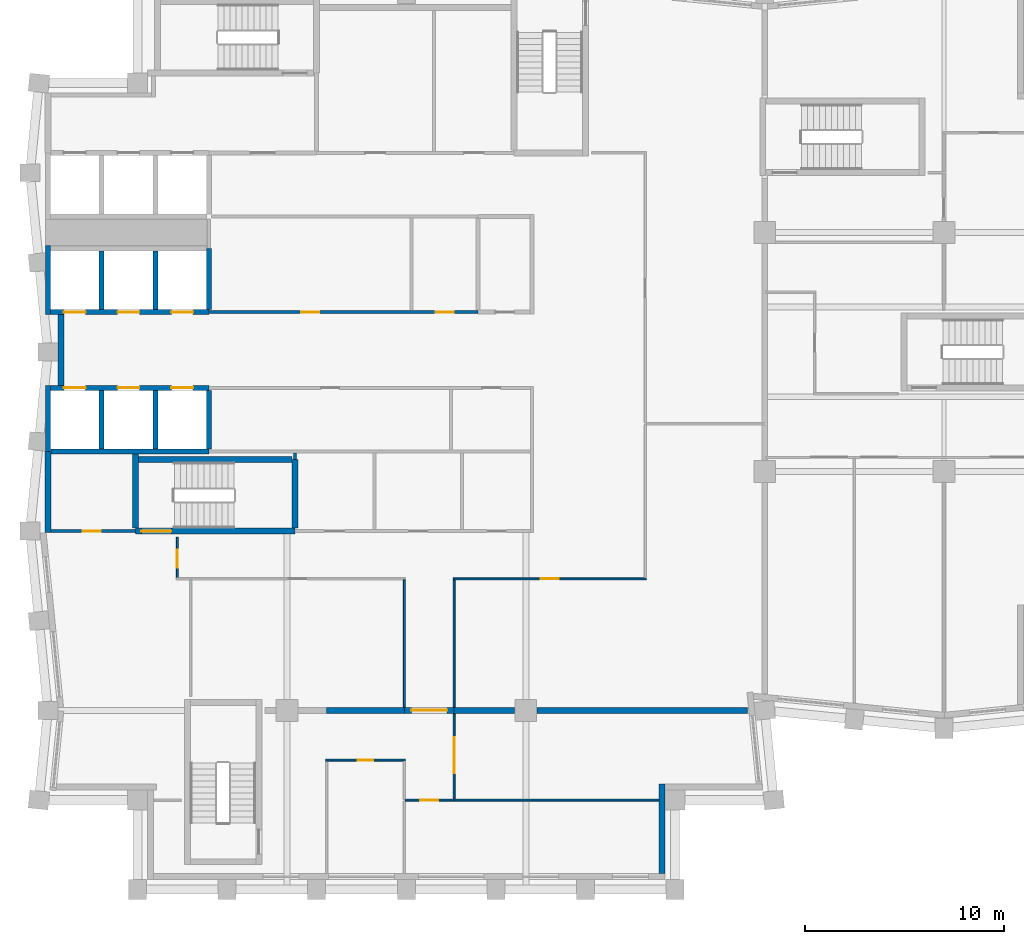
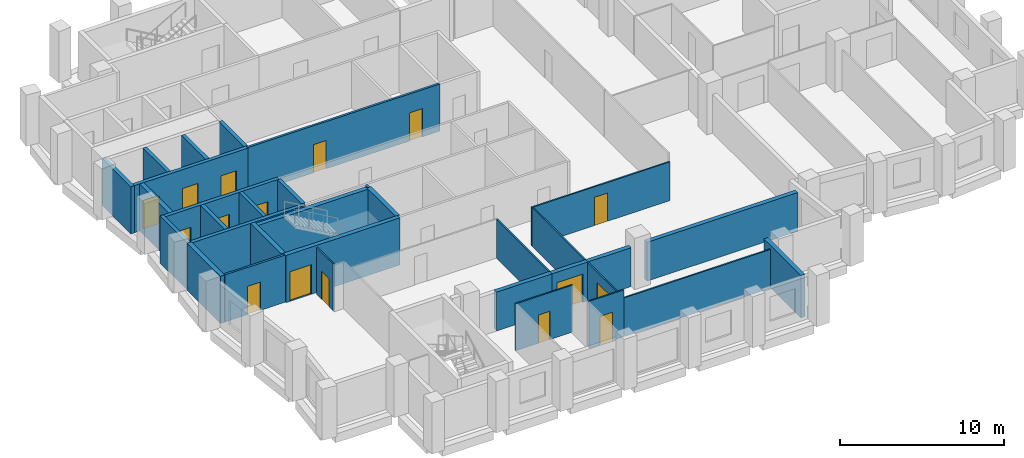
# One storey, part 3 of 8: 33 walls, 16 doors, 16 openings.
"""IFC4 building model written with IfcOpenShell, lengths in metres."""

from ifc_helpers import new_model, si_unit, direction, frame, frame_2d, origin, place, context, subcontext, project, spatial, rectangle, extrude, material, layer, layer_set, type_object, element, fill, save


model = new_model("IFC4")

# Units and contexts
model_context = context("Model", 3, precision=1e-05, world=origin(), true_north=direction((0.0, 1.0)))
body_context = subcontext(model_context, "Body", "Model", "MODEL_VIEW")
ifc_project = project(units=[si_unit("LENGTHUNIT", "METRE"), si_unit("AREAUNIT", "SQUARE_METRE"), si_unit("VOLUMEUNIT", "CUBIC_METRE"), si_unit("PLANEANGLEUNIT", "RADIAN"), si_unit("MASSUNIT", "GRAM", prefix="KILO")], contexts=[model_context])

# Site, building, storey
site_placement = place(None, origin())
site = spatial("IfcSite", under=ifc_project, at=site_placement, CompositionType="ELEMENT")
building_placement = place(site_placement, origin())
building = spatial("IfcBuilding", under=site, at=building_placement, Name="Brondeck Convention Tower", CompositionType="ELEMENT")
storey_placement = place(building_placement, frame((0.0, 0.0, 217.800048828125)))
storey = spatial("IfcBuildingStorey", under=building, at=storey_placement, Name="L53", CompositionType="ELEMENT", Elevation=217.800048828125)

# Wall
ifc_material_1 = material(Name="Concrete compartment wall C30/37", Category="concrete")
ifc_layer_1 = layer(ifc_material_1, 0.300048828125)
ifc_layer_set_1 = layer_set([ifc_layer_1], Name="Compartment wall 300")
wall_type_1 = type_object("IfcWallType", Name="Compartment wall 300", PredefinedType="PARTITIONING", material=ifc_layer_set_1)
wall_1_placement = place(storey_placement, frame((14.0, 27.0, 0.0), z_axis=(0.0, 0.0, 1.0), x_axis=(1.0, 0.0, 0.0)))
element("IfcWall", 1, at=wall_1_placement, inside=storey, type_object=wall_type_1, Name="FLR-L53-W015", PredefinedType="PARTITIONING", context=body_context, shape_type="SweptSolid", body=[
    extrude(rectangle(XDim=3.89990234375, YDim=0.300048828125, at=frame_2d((1.949951171875, 0.0))), origin(), (0.0, 0.0, 1.0), 2.8798828125),
])

# Wall, opening, door
wall_2_placement = place(storey_placement, frame((20.39990234375, 27.0, 0.0), z_axis=(0.0, 0.0, 1.0), x_axis=(-1.0, 0.0, 0.0)))
wall_2 = element("IfcWall", 2, at=wall_2_placement, inside=storey, type_object=wall_type_1, Name="FLR-L53-W016", PredefinedType="PARTITIONING", context=body_context, shape_type="SweptSolid", body=[
    extrude(rectangle(XDim=2.5, YDim=0.300048828125, at=frame_2d((1.25, 0.0))), origin(), (0.0, 0.0, 1.0), 2.8798828125),
])
opening_1_placement = place(wall_2_placement, frame((0.35009765625, 0.0, 0.0)))
opening_1 = element("IfcOpeningElement", 3, at=opening_1_placement, cuts=wall_2, Name="Opening OF-L-015", PredefinedType="OPENING", context=body_context, shape_type="SweptSolid", body=[
    extrude(rectangle(XDim=1.800048828125, YDim=2.10009765625, at=frame_2d((0.89990234375, 1.050048828125))), frame((0.0, 0.159912109375, 0.0), z_axis=(0.0, -1.0, 0.0), x_axis=(1.0, 0.0, 0.0)), (0.0, 0.0, 1.0), 0.320068359375),
])
ifc_material_2 = material(Name="Steel fire door pair", Category="steel")
door_type_1 = type_object("IfcDoorType", Name="Fire door pair 1800", OperationType="DOUBLE_DOOR_SINGLE_SWING", PredefinedType="DOOR", material=ifc_material_2)
door_1_placement = place(opening_1_placement, origin())
door_1 = element("IfcDoor", 4, at=door_1_placement, inside=storey, type_object=door_type_1, Name="Door OF-L-015", OperationType="DOUBLE_DOOR_SINGLE_SWING", OverallHeight=2.10009765625, OverallWidth=1.800048828125, PredefinedType="DOOR", context=body_context, shape_type="SweptSolid", body=[
    extrude(rectangle(XDim=1.800048828125, YDim=2.10009765625, at=frame_2d((0.89990234375, 1.050048828125))), frame((0.0, 0.02490234375, 0.0), z_axis=(0.0, -1.0, 0.0), x_axis=(1.0, 0.0, 0.0)), (0.0, 0.0, 1.0), 0.050048828125),
])
fill(opening_1, door_1)

# Walls
wall_3_placement = place(storey_placement, frame((20.39990234375, 27.0, 0.0), z_axis=(0.0, 0.0, 1.0), x_axis=(1.0, 0.0, 0.0)))
element("IfcWall", 5, at=wall_3_placement, inside=storey, type_object=wall_type_1, Name="FLR-L53-W017", PredefinedType="PARTITIONING", context=body_context, shape_type="SweptSolid", body=[
    extrude(rectangle(XDim=3.045166015625, YDim=0.300048828125, at=frame_2d((1.5224609375, 0.0))), origin(), (0.0, 0.0, 1.0), 2.8798828125),
])
wall_4_placement = place(storey_placement, frame((24.554931640625, 27.0, 0.0), z_axis=(0.0, 0.0, 1.0), x_axis=(1.0, 0.0, 0.0)))
element("IfcWall", 6, at=wall_4_placement, inside=storey, type_object=wall_type_1, Name="FLR-L53-W018", PredefinedType="PARTITIONING", context=body_context, shape_type="SweptSolid", body=[
    extrude(rectangle(XDim=10.591064453125, YDim=0.300048828125, at=frame_2d((5.29541015625, 0.0))), origin(), (0.0, 0.0, 1.0), 2.8798828125),
])
ifc_material_3 = material(Name="Concrete C50/60", Category="concrete")
ifc_layer_2 = layer(ifc_material_3, 0.300048828125)
ifc_layer_set_2 = layer_set([ifc_layer_2], Name="Core outer wall 300 Concrete C50/60")
wall_type_2 = type_object("IfcWallType", Name="Core outer wall 300 Concrete C50/60", PredefinedType="SHEAR", material=ifc_layer_set_2)
wall_5_placement = place(storey_placement, frame((0.0, 35.925048828125, 0.0), z_axis=(0.0, 0.0, 1.0), x_axis=(0.0, 1.0, 0.0)))
element("IfcWall", 7, at=wall_5_placement, inside=storey, type_object=wall_type_2, Name="L53 core wall", PredefinedType="SHEAR", context=body_context, shape_type="SweptSolid", body=[
    extrude(rectangle(XDim=4.074951171875, YDim=0.300048828125, at=frame_2d((2.03759765625, 0.0))), origin(), (0.0, 0.0, 1.0), 3.5),
])
wall_6_placement = place(storey_placement, frame((0.64990234375, 43.324951171875, 0.0), z_axis=(0.0, 0.0, 1.0), x_axis=(0.0, 1.0, 0.0)))
element("IfcWall", 8, at=wall_6_placement, inside=storey, type_object=wall_type_2, Name="L53 core wall", PredefinedType="SHEAR", context=body_context, shape_type="SweptSolid", body=[
    extrude(rectangle(XDim=3.550048828125, YDim=0.300048828125, at=frame_2d((1.77490234375, 0.0))), origin(), (0.0, 0.0, 1.0), 3.5),
])

# Wall, opening, door
ifc_material_4 = material(Name="Fire-rated gypsum board partition")
ifc_layer_3 = layer(ifc_material_4, 0.14990234375)
ifc_layer_set_3 = layer_set([ifc_layer_3], Name="Core partition 150 EI 60")
wall_type_3 = type_object("IfcWallType", Name="Core partition 150 EI 60", PredefinedType="PARTITIONING", material=ifc_layer_set_3)
wall_7_placement = place(storey_placement, frame((0.14990234375, 36.0, 0.0), z_axis=(0.0, 0.0, 1.0), x_axis=(1.0, 0.0, 0.0)))
wall_7 = element("IfcWall", 9, at=wall_7_placement, inside=storey, type_object=wall_type_3, Name="L53 core wall", PredefinedType="PARTITIONING", context=body_context, shape_type="SweptSolid", body=[
    extrude(rectangle(XDim=4.25, YDim=0.14990234375, at=frame_2d((2.125, 0.0))), origin(), (0.0, 0.0, 1.0), 3.5),
])
opening_2_placement = place(wall_7_placement, frame((1.60009765625, 0.0, 0.0)))
opening_2 = element("IfcOpeningElement", 10, at=opening_2_placement, cuts=wall_7, Name="Opening C29-06", PredefinedType="OPENING", context=body_context, shape_type="SweptSolid", body=[
    extrude(rectangle(XDim=0.89990234375, YDim=2.10009765625, at=frame_2d((0.449951171875, 1.050048828125))), frame((0.0, 0.0849609375, 0.0), z_axis=(0.0, -1.0, 0.0), x_axis=(1.0, 0.0, 0.0)), (0.0, 0.0, 1.0), 0.169921875),
])
ifc_material_5 = material(Name="Steel fire door", Category="steel")
door_type_2 = type_object("IfcDoorType", Name="Room door 900x2100 EI 60", OperationType="NOTDEFINED", PredefinedType="DOOR", material=ifc_material_5)
door_2_placement = place(opening_2_placement, origin())
door_2 = element("IfcDoor", 11, at=door_2_placement, inside=storey, type_object=door_type_2, Name="L53 Room door FRW-1", OperationType="SINGLE_SWING_LEFT", OverallHeight=2.10009765625, OverallWidth=0.89990234375, PredefinedType="DOOR", context=body_context, shape_type="SweptSolid", body=[
    extrude(rectangle(XDim=0.89990234375, YDim=2.10009765625, at=frame_2d((0.449951171875, 1.050048828125))), frame((0.0, 0.02490234375, 0.0), z_axis=(0.0, -1.0, 0.0), x_axis=(1.0, 0.0, 0.0)), (0.0, 0.0, 1.0), 0.050048828125),
])
fill(opening_2, door_2)

# Wall, openings, doors
wall_8_placement = place(storey_placement, frame((8.10009765625, 47.0, 0.0), z_axis=(0.0, 0.0, 1.0), x_axis=(1.0, 0.0, 0.0)))
wall_8 = element("IfcWall", 12, at=wall_8_placement, inside=storey, type_object=wall_type_3, Name="L53 core wall", PredefinedType="PARTITIONING", context=body_context, shape_type="SweptSolid", body=[
    extrude(rectangle(XDim=13.5, YDim=0.14990234375, at=frame_2d((6.75, 0.0))), origin(), (0.0, 0.0, 1.0), 3.5),
])
opening_3_placement = place(wall_8_placement, frame((4.625, 0.0, 0.0)))
opening_3 = element("IfcOpeningElement", 13, at=opening_3_placement, cuts=wall_8, Name="Opening C29-07", PredefinedType="OPENING", context=body_context, shape_type="SweptSolid", body=[
    extrude(rectangle(XDim=0.89990234375, YDim=2.10009765625, at=frame_2d((0.449951171875, 1.050048828125))), frame((0.0, 0.0849609375, 0.0), z_axis=(0.0, -1.0, 0.0), x_axis=(1.0, 0.0, 0.0)), (0.0, 0.0, 1.0), 0.169921875),
])
opening_4_placement = place(wall_8_placement, frame((11.375, 0.0, 0.0)))
opening_4 = element("IfcOpeningElement", 14, at=opening_4_placement, cuts=wall_8, Name="Opening C29-08", PredefinedType="OPENING", context=body_context, shape_type="SweptSolid", body=[
    extrude(rectangle(XDim=0.89990234375, YDim=2.10009765625, at=frame_2d((0.449951171875, 1.050048828125))), frame((0.0, 0.0849609375, 0.0), z_axis=(0.0, -1.0, 0.0), x_axis=(1.0, 0.0, 0.0)), (0.0, 0.0, 1.0), 0.169921875),
])
door_3_placement = place(opening_3_placement, origin())
door_3 = element("IfcDoor", 15, at=door_3_placement, inside=storey, type_object=door_type_2, Name="L53 Room door FZ-N-8.1-1", OperationType="SINGLE_SWING_LEFT", OverallHeight=2.10009765625, OverallWidth=0.89990234375, PredefinedType="DOOR", context=body_context, shape_type="SweptSolid", body=[
    extrude(rectangle(XDim=0.89990234375, YDim=2.10009765625, at=frame_2d((0.449951171875, 1.050048828125))), frame((0.0, 0.02490234375, 0.0), z_axis=(0.0, -1.0, 0.0), x_axis=(1.0, 0.0, 0.0)), (0.0, 0.0, 1.0), 0.050048828125),
])
fill(opening_3, door_3)
door_4_placement = place(opening_4_placement, origin())
door_4 = element("IfcDoor", 16, at=door_4_placement, inside=storey, type_object=door_type_2, Name="L53 Room door FZ-N-8.1-2", OperationType="SINGLE_SWING_RIGHT", OverallHeight=2.10009765625, OverallWidth=0.89990234375, PredefinedType="DOOR", context=body_context, shape_type="SweptSolid", body=[
    extrude(rectangle(XDim=0.89990234375, YDim=2.10009765625, at=frame_2d((0.449951171875, 1.050048828125))), frame((0.0, 0.02490234375, 0.0), z_axis=(0.0, -1.0, 0.0), x_axis=(1.0, 0.0, 0.0)), (0.0, 0.0, 1.0), 0.050048828125),
])
fill(opening_4, door_4)

# Walls
wall_9_placement = place(storey_placement, frame((12.39990234375, 39.60009765625, 0.0), z_axis=(0.0, 0.0, 1.0), x_axis=(0.0, 1.0, 0.0)))
element("IfcWall", 17, at=wall_9_placement, inside=storey, type_object=wall_type_3, Name="L53 core wall", PredefinedType="PARTITIONING", context=body_context, shape_type="SweptSolid", body=[
    extrude(rectangle(XDim=0.324951171875, YDim=0.14990234375, at=frame_2d((0.16259765625, 0.0))), origin(), (0.0, 0.0, 1.0), 3.5),
])
ifc_material_6 = material(Name="Precast concrete C50/60 bronze finish", Category="concrete")
ifc_layer_4 = layer(ifc_material_6, 0.070068359375, Name="Bronze precast facing")
ifc_material_7 = material(Name="Mineral wool")
ifc_layer_5 = layer(ifc_material_7, 0.159912109375, Name="Insulation")
ifc_material_8 = material(Name="Concrete C35/45", Category="concrete")
ifc_layer_6 = layer(ifc_material_8, 0.070068359375, Name="Backing")
ifc_layer_set_4 = layer_set([ifc_layer_4, ifc_layer_5, ifc_layer_6], Name="External infill wall, precast concrete C50/60 bronze facing")
wall_type_4 = type_object("IfcWallType", Name="External infill wall, precast concrete C50/60 bronze facing", PredefinedType="SOLIDWALL", material=ifc_layer_set_4)
wall_10_placement = place(storey_placement, frame((30.85009765625, 23.300048828125, 0.0), z_axis=(0.0, 0.0, 1.0), x_axis=(0.0, -1.0, 0.0)))
element("IfcWall", 18, at=wall_10_placement, inside=storey, type_object=wall_type_4, Name="ENV-EW-L53-P2-NC-SEB18-01", PredefinedType="SOLIDWALL", context=body_context, shape_type="SweptSolid", body=[
    extrude(rectangle(XDim=4.5, YDim=0.300048828125, at=frame_2d((2.25, 0.0))), origin(), (0.0, 0.0, 1.0), 3.14990234375),
])
ifc_layer_7 = layer(ifc_material_3, 0.25)
ifc_layer_set_5 = layer_set([ifc_layer_7], Name="Lift shaft wall 250 Concrete C50/60")
wall_type_5 = type_object("IfcWallType", Name="Lift shaft wall 250 Concrete C50/60", PredefinedType="SHEAR", material=ifc_layer_set_5)
wall_11_placement = place(storey_placement, frame((0.14990234375, 40.0, 0.0), z_axis=(0.0, 0.0, 1.0), x_axis=(1.0, 0.0, 0.0)))
element("IfcWall", 19, at=wall_11_placement, inside=storey, type_object=wall_type_5, Name="L53 core wall", PredefinedType="SHEAR", context=body_context, shape_type="SweptSolid", body=[
    extrude(rectangle(XDim=7.9501953125, YDim=0.25, at=frame_2d((3.97509765625, 0.0))), origin(), (0.0, 0.0, 1.0), 3.5),
])

# Wall, openings, doors
wall_12_placement = place(storey_placement, frame((0.125, 43.199951171875, 0.0), z_axis=(0.0, 0.0, 1.0), x_axis=(1.0, 0.0, 0.0)))
wall_12 = element("IfcWall", 20, at=wall_12_placement, inside=storey, type_object=wall_type_5, Name="L53 core wall", PredefinedType="SHEAR", context=body_context, shape_type="SweptSolid", body=[
    extrude(rectangle(XDim=7.97509765625, YDim=0.25, at=frame_2d((3.987548828125, 0.0))), origin(), (0.0, 0.0, 1.0), 3.5),
])
opening_5_placement = place(wall_12_placement, frame((0.675048828125, 0.0, 0.0)))
opening_5 = element("IfcOpeningElement", 21, at=opening_5_placement, cuts=wall_12, Name="Opening C29-22", PredefinedType="OPENING", context=body_context, shape_type="SweptSolid", body=[
    extrude(rectangle(XDim=1.10009765625, YDim=2.10009765625, at=frame_2d((0.550048828125, 1.050048828125))), frame((0.0, 0.135009765625, 0.0), z_axis=(0.0, -1.0, 0.0), x_axis=(1.0, 0.0, 0.0)), (0.0, 0.0, 1.0), 0.27001953125),
])
opening_6_placement = place(wall_12_placement, frame((3.375, 0.0, 0.0)))
opening_6 = element("IfcOpeningElement", 22, at=opening_6_placement, cuts=wall_12, Name="Opening C29-23", PredefinedType="OPENING", context=body_context, shape_type="SweptSolid", body=[
    extrude(rectangle(XDim=1.10009765625, YDim=2.10009765625, at=frame_2d((0.550048828125, 1.050048828125))), frame((0.0, 0.135009765625, 0.0), z_axis=(0.0, -1.0, 0.0), x_axis=(1.0, 0.0, 0.0)), (0.0, 0.0, 1.0), 0.27001953125),
])
opening_7_placement = place(wall_12_placement, frame((6.074951171875, 0.0, 0.0)))
opening_7 = element("IfcOpeningElement", 23, at=opening_7_placement, cuts=wall_12, Name="Opening C29-24", PredefinedType="OPENING", context=body_context, shape_type="SweptSolid", body=[
    extrude(rectangle(XDim=1.10009765625, YDim=2.10009765625, at=frame_2d((0.550048828125, 1.050048828125))), frame((0.0, 0.135009765625, 0.0), z_axis=(0.0, -1.0, 0.0), x_axis=(1.0, 0.0, 0.0)), (0.0, 0.0, 1.0), 0.27001953125),
])
ifc_material_9 = material(Name="Stainless steel lift door", Category="steel")
door_type_3 = type_object("IfcDoorType", Name="Lift landing door 1100x2100 EI 180", OperationType="DOUBLE_DOOR_SLIDING", PredefinedType="DOOR", material=ifc_material_9)
door_5_placement = place(opening_5_placement, origin())
door_5 = element("IfcDoor", 24, at=door_5_placement, inside=storey, type_object=door_type_3, Name="L53 Lift landing door HR1", OperationType="DOUBLE_DOOR_SLIDING", OverallHeight=2.10009765625, OverallWidth=1.10009765625, PredefinedType="DOOR", context=body_context, shape_type="SweptSolid", body=[
    extrude(rectangle(XDim=1.10009765625, YDim=2.10009765625, at=frame_2d((0.550048828125, 1.050048828125))), frame((0.0, 0.02490234375, 0.0), z_axis=(0.0, -1.0, 0.0), x_axis=(1.0, 0.0, 0.0)), (0.0, 0.0, 1.0), 0.050048828125),
])
fill(opening_5, door_5)
door_6_placement = place(opening_6_placement, origin())
door_6 = element("IfcDoor", 25, at=door_6_placement, inside=storey, type_object=door_type_3, Name="L53 Lift landing door HR2", OperationType="DOUBLE_DOOR_SLIDING", OverallHeight=2.10009765625, OverallWidth=1.10009765625, PredefinedType="DOOR", context=body_context, shape_type="SweptSolid", body=[
    extrude(rectangle(XDim=1.10009765625, YDim=2.10009765625, at=frame_2d((0.550048828125, 1.050048828125))), frame((0.0, 0.02490234375, 0.0), z_axis=(0.0, -1.0, 0.0), x_axis=(1.0, 0.0, 0.0)), (0.0, 0.0, 1.0), 0.050048828125),
])
fill(opening_6, door_6)
door_7_placement = place(opening_7_placement, origin())
door_7 = element("IfcDoor", 26, at=door_7_placement, inside=storey, type_object=door_type_3, Name="L53 Lift landing door HR3", OperationType="DOUBLE_DOOR_SLIDING", OverallHeight=2.10009765625, OverallWidth=1.10009765625, PredefinedType="DOOR", context=body_context, shape_type="SweptSolid", body=[
    extrude(rectangle(XDim=1.10009765625, YDim=2.10009765625, at=frame_2d((0.550048828125, 1.050048828125))), frame((0.0, 0.02490234375, 0.0), z_axis=(0.0, -1.0, 0.0), x_axis=(1.0, 0.0, 0.0)), (0.0, 0.0, 1.0), 0.050048828125),
])
fill(opening_7, door_7)

wall_13_placement = place(storey_placement, frame((0.125, 47.0, 0.0), z_axis=(0.0, 0.0, 1.0), x_axis=(1.0, 0.0, 0.0)))
wall_13 = element("IfcWall", 27, at=wall_13_placement, inside=storey, type_object=wall_type_5, Name="L53 core wall", PredefinedType="SHEAR", context=body_context, shape_type="SweptSolid", body=[
    extrude(rectangle(XDim=7.97509765625, YDim=0.25, at=frame_2d((3.987548828125, 0.0))), origin(), (0.0, 0.0, 1.0), 3.5),
])
opening_8_placement = place(wall_13_placement, frame((0.675048828125, 0.0, 0.0)))
opening_8 = element("IfcOpeningElement", 28, at=opening_8_placement, cuts=wall_13, Name="Opening C29-25", PredefinedType="OPENING", context=body_context, shape_type="SweptSolid", body=[
    extrude(rectangle(XDim=1.10009765625, YDim=2.10009765625, at=frame_2d((0.550048828125, 1.050048828125))), frame((0.0, 0.135009765625, 0.0), z_axis=(0.0, -1.0, 0.0), x_axis=(1.0, 0.0, 0.0)), (0.0, 0.0, 1.0), 0.27001953125),
])
opening_9_placement = place(wall_13_placement, frame((3.375, 0.0, 0.0)))
opening_9 = element("IfcOpeningElement", 29, at=opening_9_placement, cuts=wall_13, Name="Opening C29-26", PredefinedType="OPENING", context=body_context, shape_type="SweptSolid", body=[
    extrude(rectangle(XDim=1.10009765625, YDim=2.10009765625, at=frame_2d((0.550048828125, 1.050048828125))), frame((0.0, 0.135009765625, 0.0), z_axis=(0.0, -1.0, 0.0), x_axis=(1.0, 0.0, 0.0)), (0.0, 0.0, 1.0), 0.27001953125),
])
opening_10_placement = place(wall_13_placement, frame((6.074951171875, 0.0, 0.0)))
opening_10 = element("IfcOpeningElement", 30, at=opening_10_placement, cuts=wall_13, Name="Opening C29-27", PredefinedType="OPENING", context=body_context, shape_type="SweptSolid", body=[
    extrude(rectangle(XDim=1.10009765625, YDim=2.10009765625, at=frame_2d((0.550048828125, 1.050048828125))), frame((0.0, 0.135009765625, 0.0), z_axis=(0.0, -1.0, 0.0), x_axis=(1.0, 0.0, 0.0)), (0.0, 0.0, 1.0), 0.27001953125),
])
door_8_placement = place(opening_8_placement, origin())
door_8 = element("IfcDoor", 31, at=door_8_placement, inside=storey, type_object=door_type_3, Name="L53 Lift landing door HR4", OperationType="DOUBLE_DOOR_SLIDING", OverallHeight=2.10009765625, OverallWidth=1.10009765625, PredefinedType="DOOR", context=body_context, shape_type="SweptSolid", body=[
    extrude(rectangle(XDim=1.10009765625, YDim=2.10009765625, at=frame_2d((0.550048828125, 1.050048828125))), frame((0.0, 0.02490234375, 0.0), z_axis=(0.0, -1.0, 0.0), x_axis=(1.0, 0.0, 0.0)), (0.0, 0.0, 1.0), 0.050048828125),
])
fill(opening_8, door_8)
door_9_placement = place(opening_9_placement, origin())
door_9 = element("IfcDoor", 32, at=door_9_placement, inside=storey, type_object=door_type_3, Name="L53 Lift landing door HR5", OperationType="DOUBLE_DOOR_SLIDING", OverallHeight=2.10009765625, OverallWidth=1.10009765625, PredefinedType="DOOR", context=body_context, shape_type="SweptSolid", body=[
    extrude(rectangle(XDim=1.10009765625, YDim=2.10009765625, at=frame_2d((0.550048828125, 1.050048828125))), frame((0.0, 0.02490234375, 0.0), z_axis=(0.0, -1.0, 0.0), x_axis=(1.0, 0.0, 0.0)), (0.0, 0.0, 1.0), 0.050048828125),
])
fill(opening_9, door_9)
door_10_placement = place(opening_10_placement, origin())
door_10 = element("IfcDoor", 33, at=door_10_placement, inside=storey, type_object=door_type_3, Name="L53 Lift landing door HR6", OperationType="DOUBLE_DOOR_SLIDING", OverallHeight=2.10009765625, OverallWidth=1.10009765625, PredefinedType="DOOR", context=body_context, shape_type="SweptSolid", body=[
    extrude(rectangle(XDim=1.10009765625, YDim=2.10009765625, at=frame_2d((0.550048828125, 1.050048828125))), frame((0.0, 0.02490234375, 0.0), z_axis=(0.0, -1.0, 0.0), x_axis=(1.0, 0.0, 0.0)), (0.0, 0.0, 1.0), 0.050048828125),
])
fill(opening_10, door_10)

# Walls
wall_14_placement = place(storey_placement, frame((0.0, 40.0, 0.0), z_axis=(0.0, 0.0, 1.0), x_axis=(0.0, 1.0, 0.0)))
element("IfcWall", 34, at=wall_14_placement, inside=storey, type_object=wall_type_5, Name="L53 core wall", PredefinedType="SHEAR", context=body_context, shape_type="SweptSolid", body=[
    extrude(rectangle(XDim=3.324951171875, YDim=0.25, at=frame_2d((1.66259765625, 0.0))), origin(), (0.0, 0.0, 1.0), 3.5),
])
wall_15_placement = place(storey_placement, frame((0.0, 46.875, 0.0), z_axis=(0.0, 0.0, 1.0), x_axis=(0.0, 1.0, 0.0)))
element("IfcWall", 35, at=wall_15_placement, inside=storey, type_object=wall_type_5, Name="L53 core wall", PredefinedType="SHEAR", context=body_context, shape_type="SweptSolid", body=[
    extrude(rectangle(XDim=3.47509765625, YDim=0.25, at=frame_2d((1.737548828125, 0.0))), origin(), (0.0, 0.0, 1.0), 3.5),
])
for number, where, z_axis, x_axis, name in (
    (36, (2.699951171875, 40.125, 0.0), (0.0, 0.0, 1.0), (0.0, 1.0, 0.0), "L53 core wall"),
    (37, (2.699951171875, 47.125, 0.0), (0.0, 0.0, 1.0), (0.0, 1.0, 0.0), "L53 core wall"),
    (38, (5.39990234375, 40.125, 0.0), (0.0, 0.0, 1.0), (0.0, 1.0, 0.0), "L53 core wall"),
    (39, (5.39990234375, 47.125, 0.0), (0.0, 0.0, 1.0), (0.0, 1.0, 0.0), "L53 core wall"),
    (40, (8.10009765625, 40.125, 0.0), (0.0, 0.0, 1.0), (0.0, 1.0, 0.0), "L53 core wall"),
):
    element("IfcWall", number, at=place(storey_placement, frame(where, z_axis=z_axis, x_axis=x_axis)), inside=storey, type_object=wall_type_5, Name=name, PredefinedType="SHEAR", context=body_context, shape_type="SweptSolid", body=[
        extrude(rectangle(XDim=2.949951171875, YDim=0.25, at=frame_2d((1.47509765625, 0.0))), origin(), (0.0, 0.0, 1.0), 3.5),
    ])
wall_16_placement = place(storey_placement, frame((8.10009765625, 47.125, 0.0), z_axis=(0.0, 0.0, 1.0), x_axis=(0.0, 1.0, 0.0)))
element("IfcWall", 41, at=wall_16_placement, inside=storey, type_object=wall_type_5, Name="L53 core wall", PredefinedType="SHEAR", context=body_context, shape_type="SweptSolid", body=[
    extrude(rectangle(XDim=3.074951171875, YDim=0.25, at=frame_2d((1.53759765625, 0.0))), origin(), (0.0, 0.0, 1.0), 3.5),
])

# Wall, opening, door
ifc_material_10 = material(Name="Gypsum board partition on steel studs", Category="steel")
ifc_layer_8 = layer(ifc_material_10, 0.10009765625)
ifc_layer_set_6 = layer_set([ifc_layer_8], Name="Room partition 100")
wall_type_6 = type_object("IfcWallType", Name="Room partition 100", PredefinedType="PARTITIONING", material=ifc_layer_set_6)
wall_17_placement = place(storey_placement, frame((20.39990234375, 22.5, 0.0), z_axis=(0.0, 0.0, 1.0), x_axis=(-1.0, 0.0, 0.0)))
wall_17 = element("IfcWall", 42, at=wall_17_placement, inside=storey, type_object=wall_type_6, Name="FLR-L53-W003", PredefinedType="PARTITIONING", context=body_context, shape_type="SweptSolid", body=[
    extrude(rectangle(XDim=2.449951171875, YDim=0.10009765625, at=frame_2d((1.22509765625, 0.0))), origin(), (0.0, 0.0, 1.0), 3.47998046875),
])
opening_11_placement = place(wall_17_placement, frame((0.800048828125, 0.0, 0.0)))
opening_11 = element("IfcOpeningElement", 43, at=opening_11_placement, cuts=wall_17, Name="Opening OF-L-009", PredefinedType="OPENING", context=body_context, shape_type="SweptSolid", body=[
    extrude(rectangle(XDim=0.89990234375, YDim=2.10009765625, at=frame_2d((0.449951171875, 1.050048828125))), frame((0.0, 0.06005859375, 0.0), z_axis=(0.0, -1.0, 0.0), x_axis=(1.0, 0.0, 0.0)), (0.0, 0.0, 1.0), 0.1201171875),
])
ifc_material_11 = material(Name="Solid timber door leaf", Category="wood")
door_type_4 = type_object("IfcDoorType", Name="Single door 900", OperationType="NOTDEFINED", PredefinedType="DOOR", material=ifc_material_11)
door_11_placement = place(opening_11_placement, origin())
door_11 = element("IfcDoor", 44, at=door_11_placement, inside=storey, type_object=door_type_4, Name="Door OF-L-009", OperationType="SINGLE_SWING_LEFT", OverallHeight=2.10009765625, OverallWidth=0.89990234375, PredefinedType="DOOR", context=body_context, shape_type="SweptSolid", body=[
    extrude(rectangle(XDim=0.89990234375, YDim=2.10009765625, at=frame_2d((0.449951171875, 1.050048828125))), frame((0.0, 0.02490234375, 0.0), z_axis=(0.0, -1.0, 0.0), x_axis=(1.0, 0.0, 0.0)), (0.0, 0.0, 1.0), 0.050048828125),
])
fill(opening_11, door_11)

# Wall
wall_18_placement = place(storey_placement, frame((20.39990234375, 22.5, 0.0), z_axis=(0.0, 0.0, 1.0), x_axis=(1.0, 0.0, 0.0)))
element("IfcWall", 45, at=wall_18_placement, inside=storey, type_object=wall_type_6, Name="FLR-L53-W004", PredefinedType="PARTITIONING", context=body_context, shape_type="SweptSolid", body=[
    extrude(rectangle(XDim=10.280029296875, YDim=0.10009765625, at=frame_2d((5.14013671875, 0.0))), origin(), (0.0, 0.0, 1.0), 2.8798828125),
])

# Wall, opening, door
wall_19_placement = place(storey_placement, frame((17.949951171875, 24.5, 0.0), z_axis=(0.0, 0.0, 1.0), x_axis=(-1.0, 0.0, 0.0)))
wall_19 = element("IfcWall", 46, at=wall_19_placement, inside=storey, type_object=wall_type_6, Name="FLR-L53-W010", PredefinedType="PARTITIONING", context=body_context, shape_type="SweptSolid", body=[
    extrude(rectangle(XDim=4.0, YDim=0.10009765625, at=frame_2d((2.0, 0.0))), origin(), (0.0, 0.0, 1.0), 3.47998046875),
])
opening_12_placement = place(wall_19_placement, frame((1.60009765625, 0.0, 0.0)))
opening_12 = element("IfcOpeningElement", 47, at=opening_12_placement, cuts=wall_19, Name="Opening OF-L-002", PredefinedType="OPENING", context=body_context, shape_type="SweptSolid", body=[
    extrude(rectangle(XDim=0.800048828125, YDim=2.10009765625, at=frame_2d((0.39990234375, 1.050048828125))), frame((0.0, 0.06005859375, 0.0), z_axis=(0.0, -1.0, 0.0), x_axis=(1.0, 0.0, 0.0)), (0.0, 0.0, 1.0), 0.1201171875),
])
ifc_material_12 = material(Name="Steel service door leaf", Category="steel")
door_type_5 = type_object("IfcDoorType", Name="Service door 800", OperationType="NOTDEFINED", PredefinedType="DOOR", material=ifc_material_12)
door_12_placement = place(opening_12_placement, origin())
door_12 = element("IfcDoor", 48, at=door_12_placement, inside=storey, type_object=door_type_5, Name="Door OF-L-002", OperationType="SINGLE_SWING_RIGHT", OverallHeight=2.10009765625, OverallWidth=0.800048828125, PredefinedType="DOOR", context=body_context, shape_type="SweptSolid", body=[
    extrude(rectangle(XDim=0.800048828125, YDim=2.10009765625, at=frame_2d((0.39990234375, 1.050048828125))), frame((0.0, 0.02490234375, 0.0), z_axis=(0.0, -1.0, 0.0), x_axis=(1.0, 0.0, 0.0)), (0.0, 0.0, 1.0), 0.050048828125),
])
fill(opening_12, door_12)

wall_20_placement = place(storey_placement, frame((20.39990234375, 26.830078125, 0.0), z_axis=(0.0, 0.0, 1.0), x_axis=(0.0, -1.0, 0.0)))
wall_20 = element("IfcWall", 49, at=wall_20_placement, inside=storey, type_object=wall_type_6, Name="FLR-L53-W011", PredefinedType="PARTITIONING", context=body_context, shape_type="SweptSolid", body=[
    extrude(rectangle(XDim=4.280029296875, YDim=0.10009765625, at=frame_2d((2.14013671875, 0.0))), origin(), (0.0, 0.0, 1.0), 2.8798828125),
])
opening_13_placement = place(wall_20_placement, frame((1.179931640625, 0.0, 0.0)))
opening_13 = element("IfcOpeningElement", 50, at=opening_13_placement, cuts=wall_20, Name="Opening OF-L-010", PredefinedType="OPENING", context=body_context, shape_type="SweptSolid", body=[
    extrude(rectangle(XDim=1.800048828125, YDim=2.10009765625, at=frame_2d((0.89990234375, 1.050048828125))), frame((0.0, 0.06005859375, 0.0), z_axis=(0.0, -1.0, 0.0), x_axis=(1.0, 0.0, 0.0)), (0.0, 0.0, 1.0), 0.1201171875),
])
ifc_material_13 = material(Name="Glazed timber double door", Category="wood")
door_type_6 = type_object("IfcDoorType", Name="Double door 1800", OperationType="DOUBLE_DOOR_SINGLE_SWING", PredefinedType="DOOR", material=ifc_material_13)
door_13_placement = place(opening_13_placement, origin())
door_13 = element("IfcDoor", 51, at=door_13_placement, inside=storey, type_object=door_type_6, Name="Door OF-L-010", OperationType="DOUBLE_DOOR_SINGLE_SWING", OverallHeight=2.10009765625, OverallWidth=1.800048828125, PredefinedType="DOOR", context=body_context, shape_type="SweptSolid", body=[
    extrude(rectangle(XDim=1.800048828125, YDim=2.10009765625, at=frame_2d((0.89990234375, 1.050048828125))), frame((0.0, 0.02490234375, 0.0), z_axis=(0.0, -1.0, 0.0), x_axis=(1.0, 0.0, 0.0)), (0.0, 0.0, 1.0), 0.050048828125),
])
fill(opening_13, door_13)

# Walls
for number, where, z_axis, x_axis, name in (
    (52, (17.89990234375, 27.169921875, 0.0), (0.0, 0.0, 1.0), (0.0, 1.0, 0.0), "FLR-L53-W019"),
    (53, (20.39990234375, 33.550048828125, 0.0), (0.0, 0.0, 1.0), (0.0, -1.0, 0.0), "FLR-L53-W025"),
):
    element("IfcWall", number, at=place(storey_placement, frame(where, z_axis=z_axis, x_axis=x_axis)), inside=storey, type_object=wall_type_6, Name=name, PredefinedType="PARTITIONING", context=body_context, shape_type="SweptSolid", body=[
        extrude(rectangle(XDim=6.380126953125, YDim=0.10009765625, at=frame_2d((3.18994140625, 0.0))), origin(), (0.0, 0.0, 1.0), 2.8798828125),
    ])

# Wall, opening, door
wall_21_placement = place(storey_placement, frame((30.050048828125, 33.60009765625, 0.0), z_axis=(0.0, 0.0, 1.0), x_axis=(-1.0, 0.0, 0.0)))
wall_21 = element("IfcWall", 54, at=wall_21_placement, inside=storey, type_object=wall_type_6, Name="FLR-L53-W028", PredefinedType="PARTITIONING", context=body_context, shape_type="SweptSolid", body=[
    extrude(rectangle(XDim=9.699951171875, YDim=0.10009765625, at=frame_2d((4.85009765625, 0.0))), origin(), (0.0, 0.0, 1.0), 2.8798828125),
])
opening_14_placement = place(wall_21_placement, frame((4.39990234375, 0.0, 0.0)))
opening_14 = element("IfcOpeningElement", 55, at=opening_14_placement, cuts=wall_21, Name="Opening OF-L-013", PredefinedType="OPENING", context=body_context, shape_type="SweptSolid", body=[
    extrude(rectangle(XDim=0.89990234375, YDim=2.10009765625, at=frame_2d((0.449951171875, 1.050048828125))), frame((0.0, 0.06005859375, 0.0), z_axis=(0.0, -1.0, 0.0), x_axis=(1.0, 0.0, 0.0)), (0.0, 0.0, 1.0), 0.1201171875),
])
door_14_placement = place(opening_14_placement, origin())
door_14 = element("IfcDoor", 56, at=door_14_placement, inside=storey, type_object=door_type_4, Name="Door OF-L-013", OperationType="SINGLE_SWING_RIGHT", OverallHeight=2.10009765625, OverallWidth=0.89990234375, PredefinedType="DOOR", context=body_context, shape_type="SweptSolid", body=[
    extrude(rectangle(XDim=0.89990234375, YDim=2.10009765625, at=frame_2d((0.449951171875, 1.050048828125))), frame((0.0, 0.02490234375, 0.0), z_axis=(0.0, -1.0, 0.0), x_axis=(1.0, 0.0, 0.0)), (0.0, 0.0, 1.0), 0.050048828125),
])
fill(opening_14, door_14)

wall_22_placement = place(storey_placement, frame((6.5, 33.64990234375, 0.0), z_axis=(0.0, 0.0, 1.0), x_axis=(0.0, 1.0, 0.0)))
wall_22 = element("IfcWall", 57, at=wall_22_placement, inside=storey, type_object=wall_type_6, Name="FLR-L53-W029", PredefinedType="PARTITIONING", context=body_context, shape_type="SweptSolid", body=[
    extrude(rectangle(XDim=2.050048828125, YDim=0.10009765625, at=frame_2d((1.02490234375, 0.0))), origin(), (0.0, 0.0, 1.0), 3.47998046875),
])
opening_15_placement = place(wall_22_placement, frame((0.52490234375, 0.0, 0.0)))
opening_15 = element("IfcOpeningElement", 58, at=opening_15_placement, cuts=wall_22, Name="Opening OF-L-011", PredefinedType="OPENING", context=body_context, shape_type="SweptSolid", body=[
    extrude(rectangle(XDim=0.89990234375, YDim=2.10009765625, at=frame_2d((0.449951171875, 1.050048828125))), frame((0.0, 0.06005859375, 0.0), z_axis=(0.0, -1.0, 0.0), x_axis=(1.0, 0.0, 0.0)), (0.0, 0.0, 1.0), 0.1201171875),
])
door_15_placement = place(opening_15_placement, origin())
door_15 = element("IfcDoor", 59, at=door_15_placement, inside=storey, type_object=door_type_4, Name="Door OF-L-011", OperationType="SINGLE_SWING_LEFT", OverallHeight=2.10009765625, OverallWidth=0.89990234375, PredefinedType="DOOR", context=body_context, shape_type="SweptSolid", body=[
    extrude(rectangle(XDim=0.89990234375, YDim=2.10009765625, at=frame_2d((0.449951171875, 1.050048828125))), frame((0.0, 0.02490234375, 0.0), z_axis=(0.0, -1.0, 0.0), x_axis=(1.0, 0.0, 0.0)), (0.0, 0.0, 1.0), 0.050048828125),
])
fill(opening_15, door_15)

ifc_layer_9 = layer(ifc_material_3, 0.300048828125)
ifc_layer_set_7 = layer_set([ifc_layer_9], Name="Stair enclosure wall 300 Concrete C50/60")
wall_type_7 = type_object("IfcWallType", Name="Stair enclosure wall 300 Concrete C50/60", PredefinedType="SHEAR", material=ifc_layer_set_7)
wall_23_placement = place(storey_placement, frame((4.39990234375, 36.0, 0.0), z_axis=(0.0, 0.0, 1.0), x_axis=(1.0, 0.0, 0.0)))
wall_23 = element("IfcWall", 60, at=wall_23_placement, inside=storey, type_object=wall_type_7, Name="L53 core wall", PredefinedType="SHEAR", context=body_context, shape_type="SweptSolid", body=[
    extrude(rectangle(XDim=8.0, YDim=0.300048828125, at=frame_2d((4.0, 0.0))), origin(), (0.0, 0.0, 1.0), 3.5),
])
opening_16_placement = place(wall_23_placement, frame((0.300048828125, 0.0, 0.0)))
opening_16 = element("IfcOpeningElement", 61, at=opening_16_placement, cuts=wall_23, Name="Opening C29-13", PredefinedType="OPENING", context=body_context, shape_type="SweptSolid", body=[
    extrude(rectangle(XDim=1.5, YDim=2.199951171875, at=frame_2d((0.75, 1.10009765625))), frame((0.0, 0.159912109375, 0.0), z_axis=(0.0, -1.0, 0.0), x_axis=(1.0, 0.0, 0.0)), (0.0, 0.0, 1.0), 0.320068359375),
])
door_type_7 = type_object("IfcDoorType", Name="Stair door 1500x2200 EI 90", OperationType="NOTDEFINED", PredefinedType="DOOR", material=ifc_material_5)
door_16_placement = place(opening_16_placement, origin())
door_16 = element("IfcDoor", 62, at=door_16_placement, inside=storey, type_object=door_type_7, Name="L53 Stair door ST-1", OperationType="SINGLE_SWING_RIGHT", OverallHeight=2.199951171875, OverallWidth=1.5, PredefinedType="DOOR", context=body_context, shape_type="SweptSolid", body=[
    extrude(rectangle(XDim=1.5, YDim=2.199951171875, at=frame_2d((0.75, 1.10009765625))), frame((0.0, 0.02490234375, 0.0), z_axis=(0.0, -1.0, 0.0), x_axis=(1.0, 0.0, 0.0)), (0.0, 0.0, 1.0), 0.050048828125),
])
fill(opening_16, door_16)

# Walls
wall_24_placement = place(storey_placement, frame((4.550048828125, 39.60009765625, 0.0), z_axis=(0.0, 0.0, 1.0), x_axis=(1.0, 0.0, 0.0)))
element("IfcWall", 63, at=wall_24_placement, inside=storey, type_object=wall_type_7, Name="L53 core wall", PredefinedType="SHEAR", context=body_context, shape_type="SweptSolid", body=[
    extrude(rectangle(XDim=7.699951171875, YDim=0.300048828125, at=frame_2d((3.85009765625, 0.0))), origin(), (0.0, 0.0, 1.0), 3.5),
])
wall_25_placement = place(storey_placement, frame((4.39990234375, 36.14990234375, 0.0), z_axis=(0.0, 0.0, 1.0), x_axis=(0.0, 1.0, 0.0)))
element("IfcWall", 64, at=wall_25_placement, inside=storey, type_object=wall_type_7, Name="L53 core wall", PredefinedType="SHEAR", context=body_context, shape_type="SweptSolid", body=[
    extrude(rectangle(XDim=3.72509765625, YDim=0.300048828125, at=frame_2d((1.862548828125, 0.0))), origin(), (0.0, 0.0, 1.0), 3.5),
])
wall_26_placement = place(storey_placement, frame((12.39990234375, 36.14990234375, 0.0), z_axis=(0.0, 0.0, 1.0), x_axis=(0.0, 1.0, 0.0)))
element("IfcWall", 65, at=wall_26_placement, inside=storey, type_object=wall_type_7, Name="L53 core wall", PredefinedType="SHEAR", context=body_context, shape_type="SweptSolid", body=[
    extrude(rectangle(XDim=3.4501953125, YDim=0.300048828125, at=frame_2d((1.72509765625, 0.0))), origin(), (0.0, 0.0, 1.0), 3.5),
])

save(model, "model.ifc")
